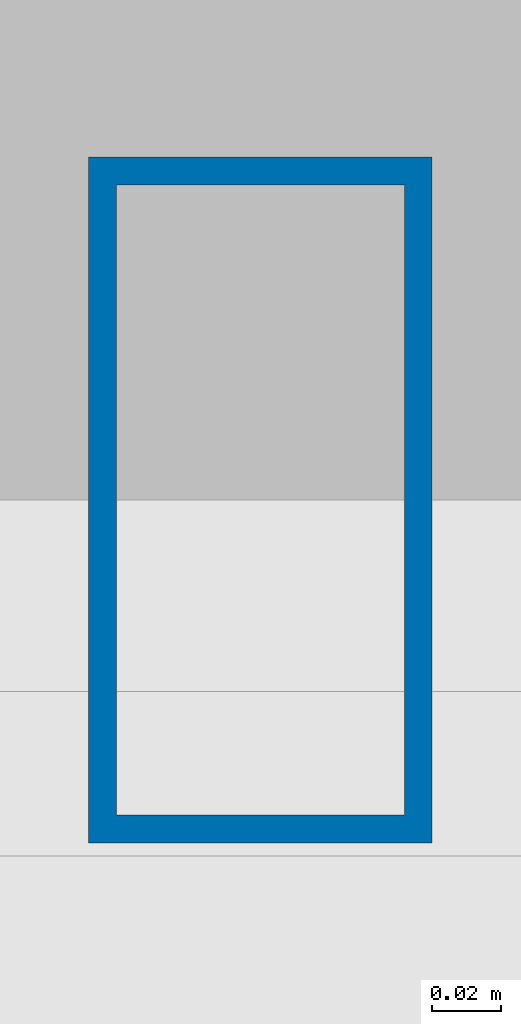
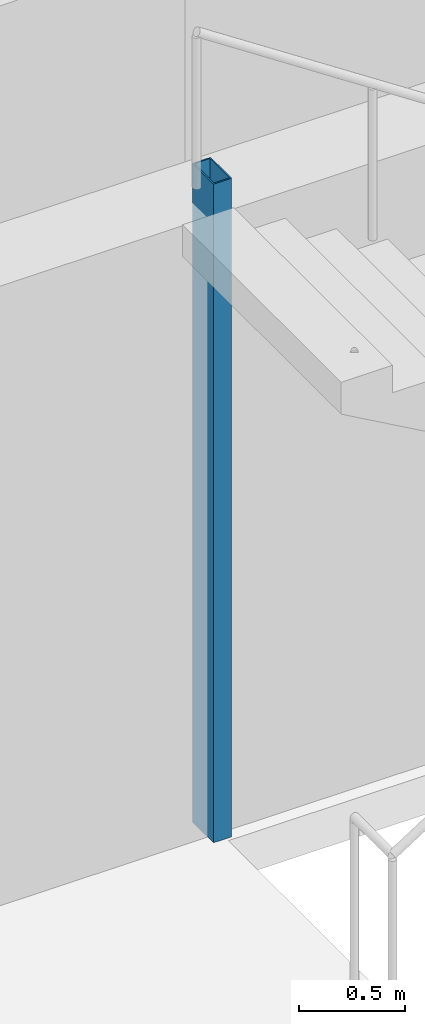
# One storey, part 2 of 16: 1 column.
"""IFC4 building model written with IfcOpenShell, lengths in metres."""

import ifcopenshell
import ifcopenshell.guid

model = None  # the IFC model being written
_history = None  # IfcOwnerHistory: only IFC2X3 demands one
_inside = {}  # id of a spatial element -> (the spatial element, [elements in it])
_under = {}  # id of a project, library or spatial element -> (it, [spatial elements below it])
_declared = {}  # id of a project -> (the project, [libraries it declares])
_typed = {}  # id of a type object -> (the type object, [elements of that type])
_made_of = {}  # id of a material, layer set ... -> (it, [elements and type objects made of it])


def new_model(schema):
    """Start an empty IFC model of exactly this schema.

    Asked for "IFC4X3", IfcOpenShell would pick the latest addendum, in which some entities
    have other attributes; the version numbers below select the first issue.
    IFC2X3 requires an IfcOwnerHistory on every rooted entity: one is made here for all.
    """
    global model, _history
    if schema == "IFC4X3":
        model = ifcopenshell.file(schema_version=(4, 3, 0, 0))
    else:
        model = ifcopenshell.file(schema=schema)
    _inside.clear()
    _under.clear()
    _declared.clear()
    _typed.clear()
    _made_of.clear()
    _history = None
    if model.schema == "IFC2X3":
        org = make("IfcOrganization", Name="unknown")
        user = make(
            "IfcPersonAndOrganization",
            ThePerson=make("IfcPerson", FamilyName="unknown"),
            TheOrganization=org,
        )
        app = make(
            "IfcApplication",
            ApplicationDeveloper=org,
            Version="unknown",
            ApplicationFullName="unknown",
            ApplicationIdentifier="unknown",
        )
        _history = make(
            "IfcOwnerHistory",
            OwningUser=user,
            OwningApplication=app,
            ChangeAction="ADDED",
            CreationDate=0,
        )
    return model


def make(cls, **values):
    """One entity of the class cls with the attributes given. An attribute that is None is left unset."""
    return model.create_entity(
        cls, **{name: value for name, value in values.items() if value is not None}
    )


def rooted(cls, **values):
    """An entity with a GlobalId (a new one), such as an element, a storey or a relation."""
    return make(cls, GlobalId=ifcopenshell.guid.new(), OwnerHistory=_history, **values)


def si_unit(unit_type, name, prefix=None):
    """IfcSIUnit, for example si_unit("LENGTHUNIT", "METRE", prefix="MILLI")."""
    return make("IfcSIUnit", UnitType=unit_type, Prefix=prefix, Name=name)


def assignment(units):
    """IfcUnitAssignment: the units of a project."""
    return None if units is None else make("IfcUnitAssignment", Units=units)


def point(xyz):
    """IfcCartesianPoint."""
    return None if xyz is None else make("IfcCartesianPoint", Coordinates=xyz)


def direction(xyz):
    """IfcDirection."""
    return None if xyz is None else make("IfcDirection", DirectionRatios=xyz)


def frame(location, z_axis=None, x_axis=None):
    """IfcAxis2Placement3D, a coordinate frame: its origin and axes. An axis left out is left unset."""
    return make(
        "IfcAxis2Placement3D",
        Location=point(location),
        Axis=direction(z_axis),
        RefDirection=direction(x_axis),
    )


def frame_2d(location, x_axis=None):
    """IfcAxis2Placement2D, a coordinate frame in the plane: its origin and x axis."""
    return make(
        "IfcAxis2Placement2D", Location=point(location), RefDirection=direction(x_axis)
    )


def origin():
    """The frame at (0, 0, 0) with its axes left unset."""
    return frame((0.0, 0.0, 0.0))


def origin_2d():
    """The frame at (0, 0) in the plane with its x axis left unset."""
    return frame_2d((0.0, 0.0))


def place(relative_to, where):
    """IfcLocalPlacement: puts the frame where relative to a parent placement (None: the world)."""
    return make(
        "IfcLocalPlacement", PlacementRelTo=relative_to, RelativePlacement=where
    )


def context(
    kind, dimensions, precision=None, world=None, true_north=None, identifier=None
):
    """IfcGeometricRepresentationContext, for example the 3D "Model" context."""
    return make(
        "IfcGeometricRepresentationContext",
        ContextIdentifier=identifier,
        ContextType=kind,
        CoordinateSpaceDimension=dimensions,
        Precision=precision,
        WorldCoordinateSystem=world,
        TrueNorth=true_north,
    )


def subcontext(parent, identifier, kind, view, scale=None):
    """IfcGeometricRepresentationSubContext, for example "Body" below "Model"."""
    return make(
        "IfcGeometricRepresentationSubContext",
        ContextIdentifier=identifier,
        ContextType=kind,
        ParentContext=parent,
        TargetScale=scale,
        TargetView=view,
    )


def project(units=None, contexts=None):
    """IfcProject with its units and contexts."""
    return rooted(
        "IfcProject",
        Name="project",
        RepresentationContexts=contexts,
        UnitsInContext=assignment(units),
    )


def spatial(cls, under=None, at=None, **own):
    """A site, building, storey or space (cls), placed at a placement, below another one or the project."""
    s = rooted(cls, ObjectPlacement=at, **own)
    if under is not None:
        _under.setdefault(under.id(), (under, []))[1].append(s)
    return s


def profile(cls, at=None, kind="AREA", **sizes):
    """A parametric profile (cls). Its sizes go by their IFC names, for example OverallWidth=200.0."""
    return make(cls, ProfileType=kind, Position=at, **sizes)


def hollow_rectangle(**sizes):
    """IfcRectangleHollowProfileDef."""
    return profile("IfcRectangleHollowProfileDef", **sizes)


def extrude(swept, where, along, depth):
    """IfcExtrudedAreaSolid: the profile swept, set in the frame where, extruded along a direction by depth."""
    return make(
        "IfcExtrudedAreaSolid",
        SweptArea=swept,
        Position=where,
        ExtrudedDirection=direction(along),
        Depth=depth,
    )


def shape(context_of_items, identifier, shape_type, items):
    """IfcShapeRepresentation: the items that make up one representation, for example the "Body"."""
    return make(
        "IfcShapeRepresentation",
        ContextOfItems=context_of_items,
        RepresentationIdentifier=identifier,
        RepresentationType=shape_type,
        Items=items,
    )


def material(Name=None, Category=None):
    """IfcMaterial."""
    return make("IfcMaterial", Name=Name, Category=Category)


def material_profile(
    of_material, cross_section, Name=None, Category=None, Priority=None
):
    """IfcMaterialProfile: a cross section and its material."""
    return make(
        "IfcMaterialProfile",
        Name=Name,
        Material=of_material,
        Profile=cross_section,
        Priority=Priority,
        Category=Category,
    )


def profile_set(profiles, Name=None, composite=None):
    """IfcMaterialProfileSet."""
    return make(
        "IfcMaterialProfileSet",
        Name=Name,
        MaterialProfiles=profiles,
        CompositeProfile=composite,
    )


def made_of(thing, what):
    """Note that an element or type object is made of a material, layer set ...; save() writes the relation."""
    if what is not None:
        _made_of.setdefault(what.id(), (what, []))[1].append(thing)
    return thing


def type_object(cls, material=None, **own):
    """A type object (cls), such as IfcWallType, which elements share."""
    return made_of(rooted(cls, **own), material)


def element(
    cls,
    number,
    at=None,
    inside=None,
    cuts=None,
    type_object=None,
    material=None,
    context=None,
    identifier="Body",
    shape_type=None,
    held_by="IfcProductDefinitionShape",
    body=None,
    shapes=None,
    **own,
):
    """One element of the class cls, such as IfcWall. Its Tag is "e" and its number.

    at: its placement. inside: the storey or other place that contains it. cuts: it is an
    opening in that element (IfcRelVoidsElement). A single representation is given by context,
    identifier, shape_type and body (its items); several are given by shapes. held_by: the class
    of the entity that holds the representations. save() writes the other relations.
    """
    e = rooted(cls, Tag="e%d" % number, ObjectPlacement=at, **own)
    if body is not None:
        shapes = [shape(context, identifier, shape_type, body)]
    if shapes is not None:
        e.Representation = make(held_by, Representations=shapes)
    if inside is not None:
        _inside.setdefault(inside.id(), (inside, []))[1].append(e)
    if cuts is not None:
        rooted(
            "IfcRelVoidsElement", RelatingBuildingElement=cuts, RelatedOpeningElement=e
        )
    if type_object is not None:
        _typed.setdefault(type_object.id(), (type_object, []))[1].append(e)
    return made_of(e, material)


def aggregate(whole, parts):
    """IfcRelAggregates: a whole, such as a stair, and the parts it consists of."""
    return rooted("IfcRelAggregates", RelatingObject=whole, RelatedObjects=parts)


def save(model, path):
    """Write the relations noted so far, then the file.

    IfcRelAggregates (storeys below a building ...), IfcRelContainedInSpatialStructure (elements
    in a storey), IfcRelDefinesByType, IfcRelAssociatesMaterial and IfcRelDeclares: one each for
    every whole, place, type object, material and project.
    """
    for whole, parts in _under.values():
        aggregate(whole, parts)
    for where, things in _inside.values():
        rooted(
            "IfcRelContainedInSpatialStructure",
            RelatedElements=things,
            RelatingStructure=where,
        )
    for kind, things in _typed.values():
        rooted("IfcRelDefinesByType", RelatedObjects=things, RelatingType=kind)
    for what, things in _made_of.values():
        rooted("IfcRelAssociatesMaterial", RelatedObjects=things, RelatingMaterial=what)
    for by, libraries in _declared.values():
        rooted("IfcRelDeclares", RelatingContext=by, RelatedDefinitions=libraries)
    model.write(path)


model = new_model("IFC4")

# Units and contexts
model_context = context("Model", 3, precision=1e-05, world=origin(), true_north=direction((0.0, 1.0)))
body_context = subcontext(model_context, "Body", "Model", "MODEL_VIEW")
ifc_project = project(units=[si_unit("LENGTHUNIT", "METRE"), si_unit("AREAUNIT", "SQUARE_METRE"), si_unit("VOLUMEUNIT", "CUBIC_METRE"), si_unit("PLANEANGLEUNIT", "RADIAN"), si_unit("MASSUNIT", "GRAM", prefix="KILO")], contexts=[model_context])

# Site, building, storey
site_placement = place(None, origin())
site = spatial("IfcSite", under=ifc_project, at=site_placement, CompositionType="ELEMENT")
building_placement = place(site_placement, origin())
building = spatial("IfcBuilding", under=site, at=building_placement, Name="Menara Jurai Vektor", CompositionType="ELEMENT")
storey_placement = place(building_placement, frame((0.0, 0.0, 33.199951171875)))
storey = spatial("IfcBuildingStorey", under=building, at=storey_placement, Name="L07", CompositionType="ELEMENT", Elevation=33.199951171875)

# Column
ifc_material = material(Name="Steel S355", Category="steel")
ifc_material_profile = material_profile(ifc_material, hollow_rectangle(XDim=0.10009765625, YDim=0.199951171875, WallThickness=0.008056640625, at=origin_2d()), Name="RHS 200x100x8")
ifc_profile_set = profile_set([ifc_material_profile], Name="Steel S355")
column_type = type_object("IfcColumnType", Name="STR-COL-STAIR", PredefinedType="COLUMN", material=ifc_profile_set)
column_placement = place(storey_placement, frame((-11.1201171875, 5.419921875, 0.0), z_axis=(0.0, 0.0, 1.0), x_axis=(1.0, 0.0, 0.0)))
element("IfcColumn", 1, at=column_placement, inside=storey, type_object=column_type, Name="Stair Well Header Column ST1-P2 L07", PredefinedType="COLUMN", context=body_context, shape_type="SweptSolid", body=[
    extrude(hollow_rectangle(XDim=0.10009765625, YDim=0.199951171875, WallThickness=0.008056640625, at=origin_2d()), origin(), (0.0, 0.0, 1.0), 3.800048828125),
])

save(model, "model.ifc")
